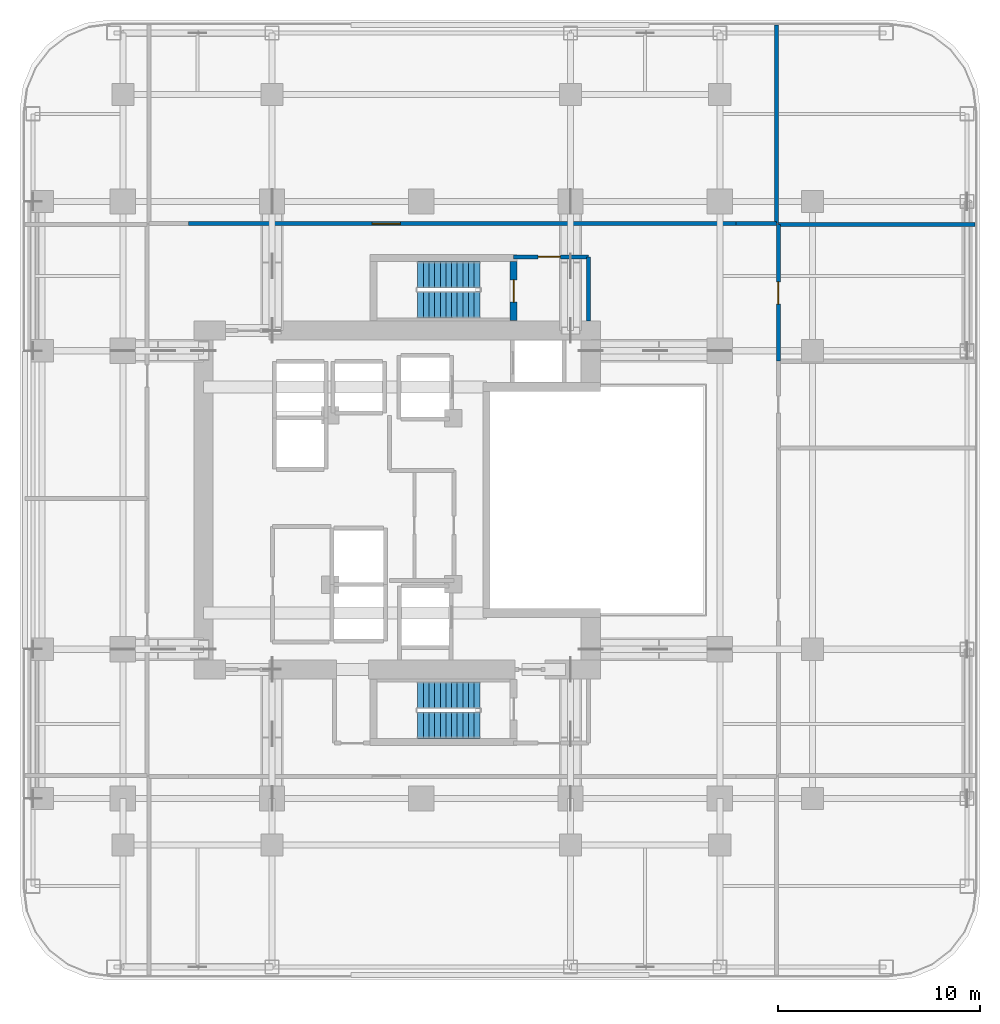
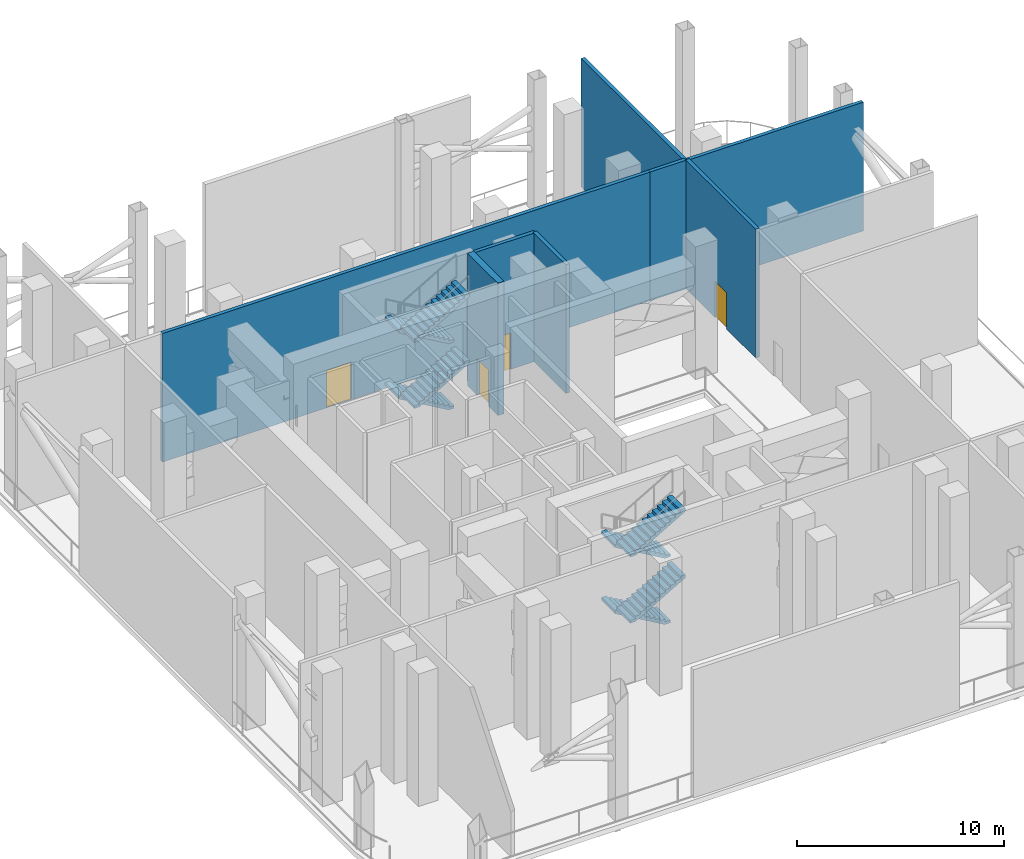
# One storey, part 6 of 10: 8 stair flights, 8 walls, 4 doors, 4 openings, 2 elements without a shape of their own.
"""IFC4 building model written with IfcOpenShell, lengths in metres."""

import ifcopenshell
import ifcopenshell.guid

model = None  # the IFC model being written
_history = None  # IfcOwnerHistory: only IFC2X3 demands one
_inside = {}  # id of a spatial element -> (the spatial element, [elements in it])
_under = {}  # id of a project, library or spatial element -> (it, [spatial elements below it])
_declared = {}  # id of a project -> (the project, [libraries it declares])
_typed = {}  # id of a type object -> (the type object, [elements of that type])
_made_of = {}  # id of a material, layer set ... -> (it, [elements and type objects made of it])


def new_model(schema):
    """Start an empty IFC model of exactly this schema.

    Asked for "IFC4X3", IfcOpenShell would pick the latest addendum, in which some entities
    have other attributes; the version numbers below select the first issue.
    IFC2X3 requires an IfcOwnerHistory on every rooted entity: one is made here for all.
    """
    global model, _history
    if schema == "IFC4X3":
        model = ifcopenshell.file(schema_version=(4, 3, 0, 0))
    else:
        model = ifcopenshell.file(schema=schema)
    _inside.clear()
    _under.clear()
    _declared.clear()
    _typed.clear()
    _made_of.clear()
    _history = None
    if model.schema == "IFC2X3":
        org = make("IfcOrganization", Name="unknown")
        user = make(
            "IfcPersonAndOrganization",
            ThePerson=make("IfcPerson", FamilyName="unknown"),
            TheOrganization=org,
        )
        app = make(
            "IfcApplication",
            ApplicationDeveloper=org,
            Version="unknown",
            ApplicationFullName="unknown",
            ApplicationIdentifier="unknown",
        )
        _history = make(
            "IfcOwnerHistory",
            OwningUser=user,
            OwningApplication=app,
            ChangeAction="ADDED",
            CreationDate=0,
        )
    return model


def make(cls, **values):
    """One entity of the class cls with the attributes given. An attribute that is None is left unset."""
    return model.create_entity(
        cls, **{name: value for name, value in values.items() if value is not None}
    )


def rooted(cls, **values):
    """An entity with a GlobalId (a new one), such as an element, a storey or a relation."""
    return make(cls, GlobalId=ifcopenshell.guid.new(), OwnerHistory=_history, **values)


def si_unit(unit_type, name, prefix=None):
    """IfcSIUnit, for example si_unit("LENGTHUNIT", "METRE", prefix="MILLI")."""
    return make("IfcSIUnit", UnitType=unit_type, Prefix=prefix, Name=name)


def assignment(units):
    """IfcUnitAssignment: the units of a project."""
    return None if units is None else make("IfcUnitAssignment", Units=units)


def point(xyz):
    """IfcCartesianPoint."""
    return None if xyz is None else make("IfcCartesianPoint", Coordinates=xyz)


def direction(xyz):
    """IfcDirection."""
    return None if xyz is None else make("IfcDirection", DirectionRatios=xyz)


def frame(location, z_axis=None, x_axis=None):
    """IfcAxis2Placement3D, a coordinate frame: its origin and axes. An axis left out is left unset."""
    return make(
        "IfcAxis2Placement3D",
        Location=point(location),
        Axis=direction(z_axis),
        RefDirection=direction(x_axis),
    )


def frame_2d(location, x_axis=None):
    """IfcAxis2Placement2D, a coordinate frame in the plane: its origin and x axis."""
    return make(
        "IfcAxis2Placement2D", Location=point(location), RefDirection=direction(x_axis)
    )


def origin():
    """The frame at (0, 0, 0) with its axes left unset."""
    return frame((0.0, 0.0, 0.0))


def place(relative_to, where):
    """IfcLocalPlacement: puts the frame where relative to a parent placement (None: the world)."""
    return make(
        "IfcLocalPlacement", PlacementRelTo=relative_to, RelativePlacement=where
    )


def context(
    kind, dimensions, precision=None, world=None, true_north=None, identifier=None
):
    """IfcGeometricRepresentationContext, for example the 3D "Model" context."""
    return make(
        "IfcGeometricRepresentationContext",
        ContextIdentifier=identifier,
        ContextType=kind,
        CoordinateSpaceDimension=dimensions,
        Precision=precision,
        WorldCoordinateSystem=world,
        TrueNorth=true_north,
    )


def subcontext(parent, identifier, kind, view, scale=None):
    """IfcGeometricRepresentationSubContext, for example "Body" below "Model"."""
    return make(
        "IfcGeometricRepresentationSubContext",
        ContextIdentifier=identifier,
        ContextType=kind,
        ParentContext=parent,
        TargetScale=scale,
        TargetView=view,
    )


def project(units=None, contexts=None):
    """IfcProject with its units and contexts."""
    return rooted(
        "IfcProject",
        Name="project",
        RepresentationContexts=contexts,
        UnitsInContext=assignment(units),
    )


def spatial(cls, under=None, at=None, **own):
    """A site, building, storey or space (cls), placed at a placement, below another one or the project."""
    s = rooted(cls, ObjectPlacement=at, **own)
    if under is not None:
        _under.setdefault(under.id(), (under, []))[1].append(s)
    return s


def polyline(points):
    """IfcPolyline through the points."""
    return make("IfcPolyline", Points=[point(p) for p in points])


def profile(cls, at=None, kind="AREA", **sizes):
    """A parametric profile (cls). Its sizes go by their IFC names, for example OverallWidth=200.0."""
    return make(cls, ProfileType=kind, Position=at, **sizes)


def rectangle(**sizes):
    """IfcRectangleProfileDef."""
    return profile("IfcRectangleProfileDef", **sizes)


def outline(outer, holes=None, kind="AREA"):
    """IfcArbitraryClosedProfileDef: a profile drawn as a closed curve; with holes, ...WithVoids."""
    if holes is None:
        return make("IfcArbitraryClosedProfileDef", ProfileType=kind, OuterCurve=outer)
    return make(
        "IfcArbitraryProfileDefWithVoids",
        ProfileType=kind,
        OuterCurve=outer,
        InnerCurves=holes,
    )


def extrude(swept, where, along, depth):
    """IfcExtrudedAreaSolid: the profile swept, set in the frame where, extruded along a direction by depth."""
    return make(
        "IfcExtrudedAreaSolid",
        SweptArea=swept,
        Position=where,
        ExtrudedDirection=direction(along),
        Depth=depth,
    )


def shape(context_of_items, identifier, shape_type, items):
    """IfcShapeRepresentation: the items that make up one representation, for example the "Body"."""
    return make(
        "IfcShapeRepresentation",
        ContextOfItems=context_of_items,
        RepresentationIdentifier=identifier,
        RepresentationType=shape_type,
        Items=items,
    )


def material(Name=None, Category=None):
    """IfcMaterial."""
    return make("IfcMaterial", Name=Name, Category=Category)


def layer(
    of_material, thickness, ventilated=None, Name=None, Category=None, Priority=None
):
    """IfcMaterialLayer: one layer of a wall or slab, of a material (None: an air gap)."""
    return make(
        "IfcMaterialLayer",
        Material=of_material,
        LayerThickness=thickness,
        IsVentilated=ventilated,
        Name=Name,
        Category=Category,
        Priority=Priority,
    )


def layer_set(layers, Name=None):
    """IfcMaterialLayerSet."""
    return make("IfcMaterialLayerSet", MaterialLayers=layers, LayerSetName=Name)


def made_of(thing, what):
    """Note that an element or type object is made of a material, layer set ...; save() writes the relation."""
    if what is not None:
        _made_of.setdefault(what.id(), (what, []))[1].append(thing)
    return thing


def type_object(cls, material=None, **own):
    """A type object (cls), such as IfcWallType, which elements share."""
    return made_of(rooted(cls, **own), material)


def element(
    cls,
    number,
    at=None,
    inside=None,
    cuts=None,
    type_object=None,
    material=None,
    context=None,
    identifier="Body",
    shape_type=None,
    held_by="IfcProductDefinitionShape",
    body=None,
    shapes=None,
    **own,
):
    """One element of the class cls, such as IfcWall. Its Tag is "e" and its number.

    at: its placement. inside: the storey or other place that contains it. cuts: it is an
    opening in that element (IfcRelVoidsElement). A single representation is given by context,
    identifier, shape_type and body (its items); several are given by shapes. held_by: the class
    of the entity that holds the representations. save() writes the other relations.
    """
    e = rooted(cls, Tag="e%d" % number, ObjectPlacement=at, **own)
    if body is not None:
        shapes = [shape(context, identifier, shape_type, body)]
    if shapes is not None:
        e.Representation = make(held_by, Representations=shapes)
    if inside is not None:
        _inside.setdefault(inside.id(), (inside, []))[1].append(e)
    if cuts is not None:
        rooted(
            "IfcRelVoidsElement", RelatingBuildingElement=cuts, RelatedOpeningElement=e
        )
    if type_object is not None:
        _typed.setdefault(type_object.id(), (type_object, []))[1].append(e)
    return made_of(e, material)


def fill(opening, filler):
    """IfcRelFillsElement: the door or window that sits in an opening."""
    return rooted(
        "IfcRelFillsElement",
        RelatingOpeningElement=opening,
        RelatedBuildingElement=filler,
    )


def aggregate(whole, parts):
    """IfcRelAggregates: a whole, such as a stair, and the parts it consists of."""
    return rooted("IfcRelAggregates", RelatingObject=whole, RelatedObjects=parts)


def save(model, path):
    """Write the relations noted so far, then the file.

    IfcRelAggregates (storeys below a building ...), IfcRelContainedInSpatialStructure (elements
    in a storey), IfcRelDefinesByType, IfcRelAssociatesMaterial and IfcRelDeclares: one each for
    every whole, place, type object, material and project.
    """
    for whole, parts in _under.values():
        aggregate(whole, parts)
    for where, things in _inside.values():
        rooted(
            "IfcRelContainedInSpatialStructure",
            RelatedElements=things,
            RelatingStructure=where,
        )
    for kind, things in _typed.values():
        rooted("IfcRelDefinesByType", RelatedObjects=things, RelatingType=kind)
    for what, things in _made_of.values():
        rooted("IfcRelAssociatesMaterial", RelatedObjects=things, RelatingMaterial=what)
    for by, libraries in _declared.values():
        rooted("IfcRelDeclares", RelatingContext=by, RelatedDefinitions=libraries)
    model.write(path)


model = new_model("IFC4")

# Units and contexts
model_context = context("Model", 3, precision=1e-05, world=origin(), true_north=direction((0.0, 1.0)))
body_context = subcontext(model_context, "Body", "Model", "MODEL_VIEW")
ifc_project = project(units=[si_unit("LENGTHUNIT", "METRE"), si_unit("AREAUNIT", "SQUARE_METRE"), si_unit("VOLUMEUNIT", "CUBIC_METRE"), si_unit("PLANEANGLEUNIT", "RADIAN"), si_unit("MASSUNIT", "GRAM", prefix="KILO")], contexts=[model_context])

# Site, building, storey
site_placement = place(None, origin())
site = spatial("IfcSite", under=ifc_project, at=site_placement, CompositionType="ELEMENT")
building_placement = place(site_placement, origin())
building = spatial("IfcBuilding", under=site, at=building_placement, Name="Khorvyn Point Tower", CompositionType="ELEMENT")
storey_placement = place(building_placement, frame((0.0, 0.0, 156.300048828125)))
storey = spatial("IfcBuildingStorey", under=building, at=storey_placement, Name="L39", CompositionType="ELEMENT", Elevation=156.300048828125)

# Wall, opening, door
ifc_material_1 = material(Name="Concrete C40/50", Category="concrete")
ifc_layer_1 = layer(ifc_material_1, 0.199951171875)
ifc_layer_set_1 = layer_set([ifc_layer_1], Name="Concrete C40/50 Fire-Lobby Compartment Wall 200")
wall_type_1 = type_object("IfcWallType", Name="Concrete C40/50 Fire-Lobby Compartment Wall 200", PredefinedType="SOLIDWALL", material=ifc_layer_set_1)
wall_1_placement = place(storey_placement, frame((4.580078125, 12.06005859375, 0.0), z_axis=(0.0, 0.0, 1.0), x_axis=(1.0, 0.0, 0.0)))
wall_1 = element("IfcWall", 1, at=wall_1_placement, inside=storey, type_object=wall_type_1, Name="Wall", PredefinedType="SOLIDWALL", context=body_context, shape_type="SweptSolid", body=[
    extrude(rectangle(XDim=3.699951171875, YDim=0.199951171875, at=frame_2d((1.85009765625, 0.0))), origin(), (0.0, 0.0, 1.0), 7.579833984375),
])
opening_1_placement = place(wall_1_placement, frame((1.21240234375, 0.0, 0.0)))
opening_1 = element("IfcOpeningElement", 2, at=opening_1_placement, cuts=wall_1, Name="Opening ID-FL90", PredefinedType="OPENING", context=body_context, shape_type="SweptSolid", body=[
    extrude(rectangle(XDim=1.10009765625, YDim=2.14990234375, at=frame_2d((0.550048828125, 1.074951171875))), frame((0.0, 0.10986328125, 0.0), z_axis=(0.0, -1.0, 0.0), x_axis=(1.0, 0.0, 0.0)), (0.0, 0.0, 1.0), 0.219970703125),
])
ifc_material_2 = material(Name="Galvanised powder-coated steel", Category="steel")
door_type_1 = type_object("IfcDoorType", Name="Fire-Rated Steel Lobby and Stair Door 1100x2150", OperationType="NOTDEFINED", PredefinedType="DOOR", material=ifc_material_2)
door_1_placement = place(opening_1_placement, origin())
door_1 = element("IfcDoor", 3, at=door_1_placement, inside=storey, type_object=door_type_1, Name="Door", OperationType="SINGLE_SWING_LEFT", OverallHeight=2.14990234375, OverallWidth=1.10009765625, PredefinedType="DOOR", context=body_context, shape_type="SweptSolid", body=[
    extrude(rectangle(XDim=1.10009765625, YDim=2.14990234375, at=frame_2d((0.550048828125, 1.074951171875))), frame((0.0, 0.02490234375, 0.0), z_axis=(0.0, -1.0, 0.0), x_axis=(1.0, 0.0, 0.0)), (0.0, 0.0, 1.0), 0.050048828125),
])
fill(opening_1, door_1)

wall_2_placement = place(storey_placement, frame((-11.550048828125, 13.699951171875, 0.0), z_axis=(0.0, 0.0, 1.0), x_axis=(1.0, 0.0, 0.0)))
wall_2 = element("IfcWall", 4, at=wall_2_placement, inside=storey, type_object=wall_type_1, Name="Wall", PredefinedType="SOLIDWALL", context=body_context, shape_type="SweptSolid", body=[
    extrude(rectangle(XDim=27.150146484375, YDim=0.199951171875, at=frame_2d((13.5751953125, 0.0))), origin(), (0.0, 0.0, 1.0), 7.579833984375),
])
opening_2_placement = place(wall_2_placement, frame((9.1142578125, 0.0, 0.0)))
opening_2 = element("IfcOpeningElement", 5, at=opening_2_placement, cuts=wall_2, Name="Opening ID-PL90", PredefinedType="OPENING", context=body_context, shape_type="SweptSolid", body=[
    extrude(rectangle(XDim=1.39990234375, YDim=2.199951171875, at=frame_2d((0.699951171875, 1.10009765625))), frame((0.0, 0.10986328125, 0.0), z_axis=(0.0, -1.0, 0.0), x_axis=(1.0, 0.0, 0.0)), (0.0, 0.0, 1.0), 0.219970703125),
])
door_type_2 = type_object("IfcDoorType", Name="Double-Leaf Acoustic Steel Plant Room Door 1400x2200", OperationType="DOUBLE_DOOR_SINGLE_SWING", PredefinedType="DOOR", material=ifc_material_2)
door_2_placement = place(opening_2_placement, origin())
door_2 = element("IfcDoor", 6, at=door_2_placement, inside=storey, type_object=door_type_2, Name="Door", OperationType="SINGLE_SWING_LEFT", OverallHeight=2.199951171875, OverallWidth=1.39990234375, PredefinedType="DOOR", context=body_context, shape_type="SweptSolid", body=[
    extrude(rectangle(XDim=1.39990234375, YDim=2.199951171875, at=frame_2d((0.699951171875, 1.10009765625))), frame((0.0, 0.02490234375, 0.0), z_axis=(0.0, -1.0, 0.0), x_axis=(1.0, 0.0, 0.0)), (0.0, 0.0, 1.0), 0.050048828125),
])
fill(opening_2, door_2)

wall_3_placement = place(storey_placement, frame((17.699951171875, 6.8798828125, 0.0), z_axis=(0.0, 0.0, 1.0), x_axis=(0.0, 1.0, 0.0)))
wall_3 = element("IfcWall", 7, at=wall_3_placement, inside=storey, type_object=wall_type_1, Name="Wall", PredefinedType="SOLIDWALL", context=body_context, shape_type="SweptSolid", body=[
    extrude(rectangle(XDim=6.77001953125, YDim=0.199951171875, at=frame_2d((3.385009765625, 0.0))), origin(), (0.0, 0.0, 1.0), 7.579833984375),
])
opening_3_placement = place(wall_3_placement, frame((2.8349609375, 0.0, 0.0)))
opening_3 = element("IfcOpeningElement", 8, at=opening_3_placement, cuts=wall_3, Name="Opening ID-FL90", PredefinedType="OPENING", context=body_context, shape_type="SweptSolid", body=[
    extrude(rectangle(XDim=1.10009765625, YDim=2.14990234375, at=frame_2d((0.550048828125, 1.074951171875))), frame((0.0, 0.10986328125, 0.0), z_axis=(0.0, -1.0, 0.0), x_axis=(1.0, 0.0, 0.0)), (0.0, 0.0, 1.0), 0.219970703125),
])
door_3_placement = place(opening_3_placement, origin())
door_3 = element("IfcDoor", 9, at=door_3_placement, inside=storey, type_object=door_type_1, Name="Door", OperationType="SINGLE_SWING_RIGHT", OverallHeight=2.14990234375, OverallWidth=1.10009765625, PredefinedType="DOOR", context=body_context, shape_type="SweptSolid", body=[
    extrude(rectangle(XDim=1.10009765625, YDim=2.14990234375, at=frame_2d((0.550048828125, 1.074951171875))), frame((0.0, 0.02490234375, 0.0), z_axis=(0.0, -1.0, 0.0), x_axis=(1.0, 0.0, 0.0)), (0.0, 0.0, 1.0), 0.050048828125),
])
fill(opening_3, door_3)

# Walls
wall_4_placement = place(storey_placement, frame((8.280029296875, 8.875, 0.0), z_axis=(0.0, 0.0, 1.0), x_axis=(0.0, 1.0, 0.0)))
element("IfcWall", 10, at=wall_4_placement, inside=storey, type_object=wall_type_1, Name="Wall", PredefinedType="SOLIDWALL", context=body_context, shape_type="SweptSolid", body=[
    extrude(rectangle(XDim=3.18505859375, YDim=0.199951171875, at=frame_2d((1.592529296875, 0.0))), origin(), (0.0, 0.0, 1.0), 7.579833984375),
])
wall_5_placement = place(storey_placement, frame((15.60009765625, 13.699951171875, 0.0), z_axis=(0.0, 0.0, 1.0), x_axis=(1.0, 0.0, 0.0)))
element("IfcWall", 11, at=wall_5_placement, inside=storey, type_object=wall_type_1, Name="Wall", PredefinedType="SOLIDWALL", context=body_context, shape_type="SweptSolid", body=[
    extrude(rectangle(XDim=2.0, YDim=0.199951171875, at=frame_2d((1.0, 0.0))), origin(), (0.0, 0.0, 1.0), 7.579833984375),
])
wall_6_placement = place(storey_placement, frame((17.60009765625, 13.699951171875, 0.0), z_axis=(0.0, 0.0, 1.0), x_axis=(0.0, 1.0, 0.0)))
element("IfcWall", 12, at=wall_6_placement, inside=storey, type_object=wall_type_1, Name="Wall", PredefinedType="SOLIDWALL", context=body_context, shape_type="SweptSolid", body=[
    extrude(rectangle(XDim=9.85009765625, YDim=0.199951171875, at=frame_2d((4.925048828125, 0.0))), origin(), (0.0, 0.0, 1.0), 7.579833984375),
])
wall_7_placement = place(storey_placement, frame((17.699951171875, 13.64990234375, 0.0), z_axis=(0.0, 0.0, 1.0), x_axis=(1.0, 0.0, 0.0)))
element("IfcWall", 13, at=wall_7_placement, inside=storey, type_object=wall_type_1, Name="Wall", PredefinedType="SOLIDWALL", context=body_context, shape_type="SweptSolid", body=[
    extrude(rectangle(XDim=9.75, YDim=0.199951171875, at=frame_2d((4.875, 0.0))), origin(), (0.0, 0.0, 1.0), 7.579833984375),
])

# Wall, opening, door
ifc_layer_2 = layer(ifc_material_1, 0.35009765625)
ifc_layer_set_2 = layer_set([ifc_layer_2], Name="Concrete C40/50 Stair Shaft Structural Wall 350")
wall_type_2 = type_object("IfcWallType", Name="Concrete C40/50 Stair Shaft Structural Wall 350", PredefinedType="SHEAR", material=ifc_layer_set_2)
wall_8_placement = place(storey_placement, frame((4.580078125, 11.824951171875, 0.0), z_axis=(0.0, 0.0, 1.0), x_axis=(0.0, -1.0, 0.0)))
wall_8 = element("IfcWall", 14, at=wall_8_placement, inside=storey, type_object=wall_type_2, Name="L39 ST-02 East Landing Door Wall", PredefinedType="SHEAR", context=body_context, shape_type="SweptSolid", body=[
    extrude(rectangle(XDim=2.925048828125, YDim=0.35009765625, at=frame_2d((1.46240234375, 0.0))), origin(), (0.0, 0.0, 1.0), 7.800048828125),
])
opening_4_placement = place(wall_8_placement, frame((0.91259765625, 0.0, 0.0)))
opening_4 = element("IfcOpeningElement", 15, at=opening_4_placement, cuts=wall_8, Name="Opening ID-FL90", PredefinedType="OPENING", context=body_context, shape_type="SweptSolid", body=[
    extrude(rectangle(XDim=1.10009765625, YDim=2.14990234375, at=frame_2d((0.550048828125, 1.074951171875))), frame((0.0, 0.18505859375, 0.0), z_axis=(0.0, -1.0, 0.0), x_axis=(1.0, 0.0, 0.0)), (0.0, 0.0, 1.0), 0.3701171875),
])
door_4_placement = place(opening_4_placement, origin())
door_4 = element("IfcDoor", 16, at=door_4_placement, inside=storey, type_object=door_type_1, Name="L39 ST-02 Smokeproof Landing Door", OperationType="SINGLE_SWING_RIGHT", OverallHeight=2.14990234375, OverallWidth=1.10009765625, PredefinedType="DOOR", context=body_context, shape_type="SweptSolid", body=[
    extrude(rectangle(XDim=1.10009765625, YDim=2.14990234375, at=frame_2d((0.550048828125, 1.074951171875))), frame((0.0, 0.02490234375, 0.0), z_axis=(0.0, -1.0, 0.0), x_axis=(1.0, 0.0, 0.0)), (0.0, 0.0, 1.0), 0.050048828125),
])
fill(opening_4, door_4)

# Stair, stair flights
stair_type = type_object("IfcStairType", Name="Tower Concrete C40/50 Dogleg Exit Stair", PredefinedType="HALF_TURN_STAIR", material=ifc_material_1)
stair_1_placement = place(storey_placement, origin())
stair_1 = element("IfcStair", 17, at=stair_1_placement, inside=storey, type_object=stair_type, Name="L39 Tower Smokeproof Exit Stair South", PredefinedType="HALF_TURN_STAIR")
stair_flight_type = type_object("IfcStairFlightType", Name="Tower Concrete C40/50 Stair Flight", PredefinedType="STRAIGHT", material=ifc_material_1)
stair_flight_1_placement = place(storey_placement, frame((2.89990234375, -9.679931640625, 0.0), z_axis=(0.0, 0.0, 1.0), x_axis=(-1.0, 0.0, 0.0)))
stair_flight_1 = element("IfcStairFlight", 18, at=stair_flight_1_placement, type_object=stair_flight_type, Name="ST-01 flight 1", NumberOfRisers=12, NumberOfTreads=11, PredefinedType="STRAIGHT", RiserHeight=0.1625, TreadLength=0.28, context=body_context, shape_type="SweptSolid", body=[
    extrude(outline(polyline([(0.0, 0.0), (0.0, 0.16259765625), (0.280029296875, 0.16259765625), (0.280029296875, 0.324951171875), (0.56005859375, 0.324951171875), (0.56005859375, 0.487548828125), (0.840087890625, 0.487548828125), (0.840087890625, 0.64990234375), (1.1201171875, 0.64990234375), (1.1201171875, 0.8125), (1.39990234375, 0.8125), (1.39990234375, 0.97509765625), (1.679931640625, 0.97509765625), (1.679931640625, 1.137451171875), (1.9599609375, 1.137451171875), (1.9599609375, 1.300048828125), (2.239990234375, 1.300048828125), (2.239990234375, 1.46240234375), (2.52001953125, 1.46240234375), (2.52001953125, 1.625), (2.800048828125, 1.625), (2.800048828125, 1.78759765625), (3.080078125, 1.78759765625), (3.080078125, 1.949951171875), (3.080078125, 1.6142578125), (0.298583984375, 0.0), (0.0, 0.0)])), frame((0.0, 0.66015625, 0.0), z_axis=(0.0, -1.0, 0.0), x_axis=(1.0, 0.0, 0.0)), (0.0, 0.0, 1.0), 1.320068359375),
])
stair_flight_2_placement = place(storey_placement, frame((-0.179931640625, -11.159912109375, 1.949951171875), z_axis=(0.0, 0.0, 1.0), x_axis=(1.0, 0.0, 0.0)))
stair_flight_2 = element("IfcStairFlight", 19, at=stair_flight_2_placement, type_object=stair_flight_type, Name="ST-01 flight 2", NumberOfRisers=12, NumberOfTreads=11, PredefinedType="STRAIGHT", RiserHeight=0.1625, TreadLength=0.28, context=body_context, shape_type="SweptSolid", body=[
    extrude(outline(polyline([(0.0, 0.0), (0.0, 0.16259765625), (0.280029296875, 0.16259765625), (0.280029296875, 0.324951171875), (0.56005859375, 0.324951171875), (0.56005859375, 0.487548828125), (0.840087890625, 0.487548828125), (0.840087890625, 0.64990234375), (1.1201171875, 0.64990234375), (1.1201171875, 0.8125), (1.39990234375, 0.8125), (1.39990234375, 0.97509765625), (1.679931640625, 0.97509765625), (1.679931640625, 1.137451171875), (1.9599609375, 1.137451171875), (1.9599609375, 1.300048828125), (2.239990234375, 1.300048828125), (2.239990234375, 1.46240234375), (2.52001953125, 1.46240234375), (2.52001953125, 1.625), (2.800048828125, 1.625), (2.800048828125, 1.78759765625), (3.080078125, 1.78759765625), (3.080078125, 1.949951171875), (3.080078125, 1.6142578125), (0.298583984375, 0.0), (0.0, 0.0)])), frame((0.0, 0.66015625, 0.0), z_axis=(0.0, -1.0, 0.0), x_axis=(1.0, 0.0, 0.0)), (0.0, 0.0, 1.0), 1.320068359375),
])
stair_flight_3_placement = place(storey_placement, frame((2.89990234375, -9.679931640625, 3.89990234375), z_axis=(0.0, 0.0, 1.0), x_axis=(-1.0, 0.0, 0.0)))
stair_flight_3 = element("IfcStairFlight", 20, at=stair_flight_3_placement, type_object=stair_flight_type, Name="ST-01 flight 3", NumberOfRisers=12, NumberOfTreads=11, PredefinedType="STRAIGHT", RiserHeight=0.1625, TreadLength=0.28, context=body_context, shape_type="SweptSolid", body=[
    extrude(outline(polyline([(0.0, 0.0), (0.0, 0.16259765625), (0.280029296875, 0.16259765625), (0.280029296875, 0.324951171875), (0.56005859375, 0.324951171875), (0.56005859375, 0.487548828125), (0.840087890625, 0.487548828125), (0.840087890625, 0.64990234375), (1.1201171875, 0.64990234375), (1.1201171875, 0.8125), (1.39990234375, 0.8125), (1.39990234375, 0.97509765625), (1.679931640625, 0.97509765625), (1.679931640625, 1.137451171875), (1.9599609375, 1.137451171875), (1.9599609375, 1.300048828125), (2.239990234375, 1.300048828125), (2.239990234375, 1.46240234375), (2.52001953125, 1.46240234375), (2.52001953125, 1.625), (2.800048828125, 1.625), (2.800048828125, 1.78759765625), (3.080078125, 1.78759765625), (3.080078125, 1.949951171875), (3.080078125, 1.6142578125), (0.298583984375, 0.0), (0.0, 0.0)])), frame((0.0, 0.66015625, 0.0), z_axis=(0.0, -1.0, 0.0), x_axis=(1.0, 0.0, 0.0)), (0.0, 0.0, 1.0), 1.320068359375),
])
stair_flight_4_placement = place(storey_placement, frame((-0.179931640625, -11.159912109375, 5.849853515625), z_axis=(0.0, 0.0, 1.0), x_axis=(1.0, 0.0, 0.0)))
stair_flight_4 = element("IfcStairFlight", 21, at=stair_flight_4_placement, type_object=stair_flight_type, Name="ST-01 flight 4", NumberOfRisers=12, NumberOfTreads=11, PredefinedType="STRAIGHT", RiserHeight=0.1625, TreadLength=0.28, context=body_context, shape_type="SweptSolid", body=[
    extrude(outline(polyline([(0.0, 0.0), (0.0, 0.16259765625), (0.280029296875, 0.16259765625), (0.280029296875, 0.324951171875), (0.56005859375, 0.324951171875), (0.56005859375, 0.487548828125), (0.840087890625, 0.487548828125), (0.840087890625, 0.64990234375), (1.1201171875, 0.64990234375), (1.1201171875, 0.8125), (1.39990234375, 0.8125), (1.39990234375, 0.97509765625), (1.679931640625, 0.97509765625), (1.679931640625, 1.137451171875), (1.9599609375, 1.137451171875), (1.9599609375, 1.300048828125), (2.239990234375, 1.300048828125), (2.239990234375, 1.46240234375), (2.52001953125, 1.46240234375), (2.52001953125, 1.625), (2.800048828125, 1.625), (2.800048828125, 1.78759765625), (3.080078125, 1.78759765625), (3.080078125, 1.949951171875), (3.080078125, 1.6142578125), (0.298583984375, 0.0), (0.0, 0.0)])), frame((0.0, 0.66015625, 0.0), z_axis=(0.0, -1.0, 0.0), x_axis=(1.0, 0.0, 0.0)), (0.0, 0.0, 1.0), 1.320068359375),
])
aggregate(stair_1, [stair_flight_1, stair_flight_2, stair_flight_3, stair_flight_4])

stair_2_placement = place(storey_placement, origin())
stair_2 = element("IfcStair", 22, at=stair_2_placement, inside=storey, type_object=stair_type, Name="L39 Tower Smokeproof Exit Stair North", PredefinedType="HALF_TURN_STAIR")
stair_flight_5_placement = place(storey_placement, frame((2.89990234375, 11.159912109375, 0.0), z_axis=(0.0, 0.0, 1.0), x_axis=(-1.0, 0.0, 0.0)))
stair_flight_5 = element("IfcStairFlight", 23, at=stair_flight_5_placement, type_object=stair_flight_type, Name="ST-02 flight 1", NumberOfRisers=12, NumberOfTreads=11, PredefinedType="STRAIGHT", RiserHeight=0.1625, TreadLength=0.28, context=body_context, shape_type="SweptSolid", body=[
    extrude(outline(polyline([(0.0, 0.0), (0.0, 0.16259765625), (0.280029296875, 0.16259765625), (0.280029296875, 0.324951171875), (0.56005859375, 0.324951171875), (0.56005859375, 0.487548828125), (0.840087890625, 0.487548828125), (0.840087890625, 0.64990234375), (1.1201171875, 0.64990234375), (1.1201171875, 0.8125), (1.39990234375, 0.8125), (1.39990234375, 0.97509765625), (1.679931640625, 0.97509765625), (1.679931640625, 1.137451171875), (1.9599609375, 1.137451171875), (1.9599609375, 1.300048828125), (2.239990234375, 1.300048828125), (2.239990234375, 1.46240234375), (2.52001953125, 1.46240234375), (2.52001953125, 1.625), (2.800048828125, 1.625), (2.800048828125, 1.78759765625), (3.080078125, 1.78759765625), (3.080078125, 1.949951171875), (3.080078125, 1.6142578125), (0.298583984375, 0.0), (0.0, 0.0)])), frame((0.0, 0.66015625, 0.0), z_axis=(0.0, -1.0, 0.0), x_axis=(1.0, 0.0, 0.0)), (0.0, 0.0, 1.0), 1.320068359375),
])
stair_flight_6_placement = place(storey_placement, frame((-0.179931640625, 9.679931640625, 1.949951171875), z_axis=(0.0, 0.0, 1.0), x_axis=(1.0, 0.0, 0.0)))
stair_flight_6 = element("IfcStairFlight", 24, at=stair_flight_6_placement, type_object=stair_flight_type, Name="ST-02 flight 2", NumberOfRisers=12, NumberOfTreads=11, PredefinedType="STRAIGHT", RiserHeight=0.1625, TreadLength=0.28, context=body_context, shape_type="SweptSolid", body=[
    extrude(outline(polyline([(0.0, 0.0), (0.0, 0.16259765625), (0.280029296875, 0.16259765625), (0.280029296875, 0.324951171875), (0.56005859375, 0.324951171875), (0.56005859375, 0.487548828125), (0.840087890625, 0.487548828125), (0.840087890625, 0.64990234375), (1.1201171875, 0.64990234375), (1.1201171875, 0.8125), (1.39990234375, 0.8125), (1.39990234375, 0.97509765625), (1.679931640625, 0.97509765625), (1.679931640625, 1.137451171875), (1.9599609375, 1.137451171875), (1.9599609375, 1.300048828125), (2.239990234375, 1.300048828125), (2.239990234375, 1.46240234375), (2.52001953125, 1.46240234375), (2.52001953125, 1.625), (2.800048828125, 1.625), (2.800048828125, 1.78759765625), (3.080078125, 1.78759765625), (3.080078125, 1.949951171875), (3.080078125, 1.6142578125), (0.298583984375, 0.0), (0.0, 0.0)])), frame((0.0, 0.66015625, 0.0), z_axis=(0.0, -1.0, 0.0), x_axis=(1.0, 0.0, 0.0)), (0.0, 0.0, 1.0), 1.320068359375),
])
stair_flight_7_placement = place(storey_placement, frame((2.89990234375, 11.159912109375, 3.89990234375), z_axis=(0.0, 0.0, 1.0), x_axis=(-1.0, 0.0, 0.0)))
stair_flight_7 = element("IfcStairFlight", 25, at=stair_flight_7_placement, type_object=stair_flight_type, Name="ST-02 flight 3", NumberOfRisers=12, NumberOfTreads=11, PredefinedType="STRAIGHT", RiserHeight=0.1625, TreadLength=0.28, context=body_context, shape_type="SweptSolid", body=[
    extrude(outline(polyline([(0.0, 0.0), (0.0, 0.16259765625), (0.280029296875, 0.16259765625), (0.280029296875, 0.324951171875), (0.56005859375, 0.324951171875), (0.56005859375, 0.487548828125), (0.840087890625, 0.487548828125), (0.840087890625, 0.64990234375), (1.1201171875, 0.64990234375), (1.1201171875, 0.8125), (1.39990234375, 0.8125), (1.39990234375, 0.97509765625), (1.679931640625, 0.97509765625), (1.679931640625, 1.137451171875), (1.9599609375, 1.137451171875), (1.9599609375, 1.300048828125), (2.239990234375, 1.300048828125), (2.239990234375, 1.46240234375), (2.52001953125, 1.46240234375), (2.52001953125, 1.625), (2.800048828125, 1.625), (2.800048828125, 1.78759765625), (3.080078125, 1.78759765625), (3.080078125, 1.949951171875), (3.080078125, 1.6142578125), (0.298583984375, 0.0), (0.0, 0.0)])), frame((0.0, 0.66015625, 0.0), z_axis=(0.0, -1.0, 0.0), x_axis=(1.0, 0.0, 0.0)), (0.0, 0.0, 1.0), 1.320068359375),
])
stair_flight_8_placement = place(storey_placement, frame((-0.179931640625, 9.679931640625, 5.849853515625), z_axis=(0.0, 0.0, 1.0), x_axis=(1.0, 0.0, 0.0)))
stair_flight_8 = element("IfcStairFlight", 26, at=stair_flight_8_placement, type_object=stair_flight_type, Name="ST-02 flight 4", NumberOfRisers=12, NumberOfTreads=11, PredefinedType="STRAIGHT", RiserHeight=0.1625, TreadLength=0.28, context=body_context, shape_type="SweptSolid", body=[
    extrude(outline(polyline([(0.0, 0.0), (0.0, 0.16259765625), (0.280029296875, 0.16259765625), (0.280029296875, 0.324951171875), (0.56005859375, 0.324951171875), (0.56005859375, 0.487548828125), (0.840087890625, 0.487548828125), (0.840087890625, 0.64990234375), (1.1201171875, 0.64990234375), (1.1201171875, 0.8125), (1.39990234375, 0.8125), (1.39990234375, 0.97509765625), (1.679931640625, 0.97509765625), (1.679931640625, 1.137451171875), (1.9599609375, 1.137451171875), (1.9599609375, 1.300048828125), (2.239990234375, 1.300048828125), (2.239990234375, 1.46240234375), (2.52001953125, 1.46240234375), (2.52001953125, 1.625), (2.800048828125, 1.625), (2.800048828125, 1.78759765625), (3.080078125, 1.78759765625), (3.080078125, 1.949951171875), (3.080078125, 1.6142578125), (0.298583984375, 0.0), (0.0, 0.0)])), frame((0.0, 0.66015625, 0.0), z_axis=(0.0, -1.0, 0.0), x_axis=(1.0, 0.0, 0.0)), (0.0, 0.0, 1.0), 1.320068359375),
])
aggregate(stair_2, [stair_flight_5, stair_flight_6, stair_flight_7, stair_flight_8])

save(model, "model.ifc")
